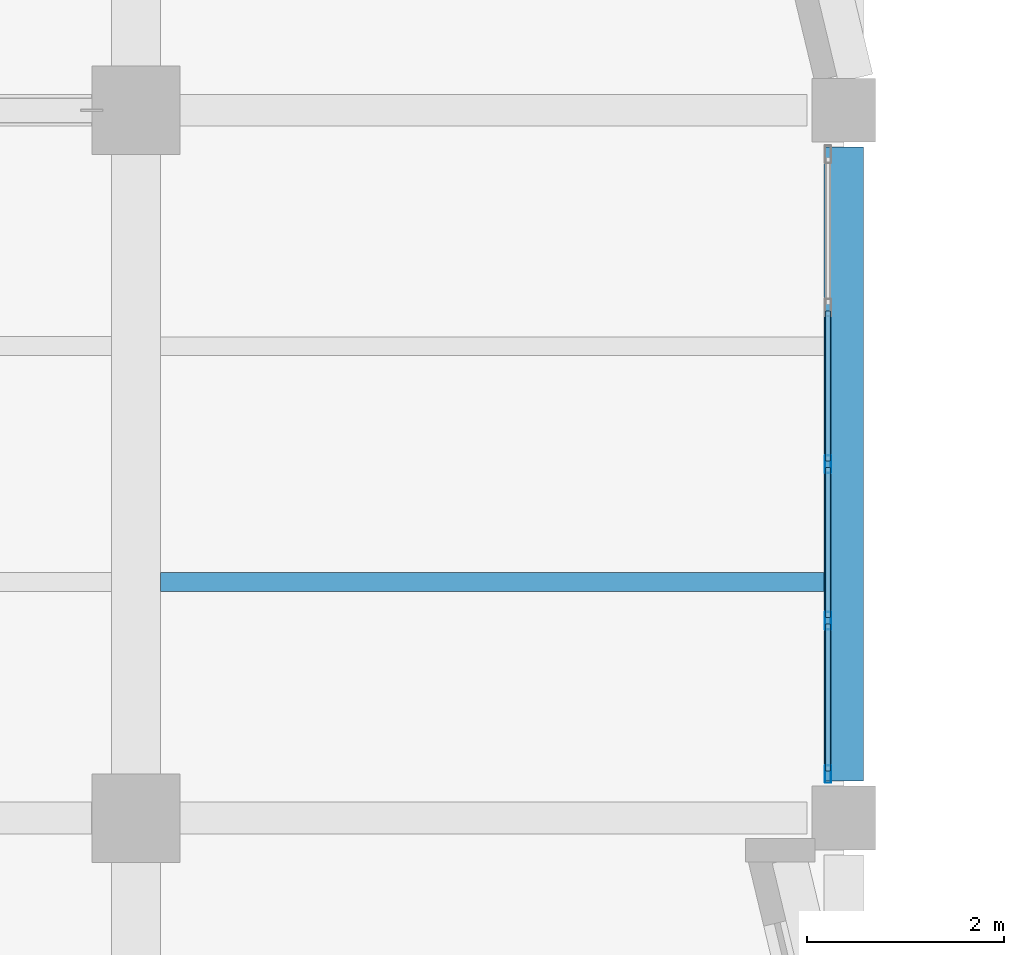
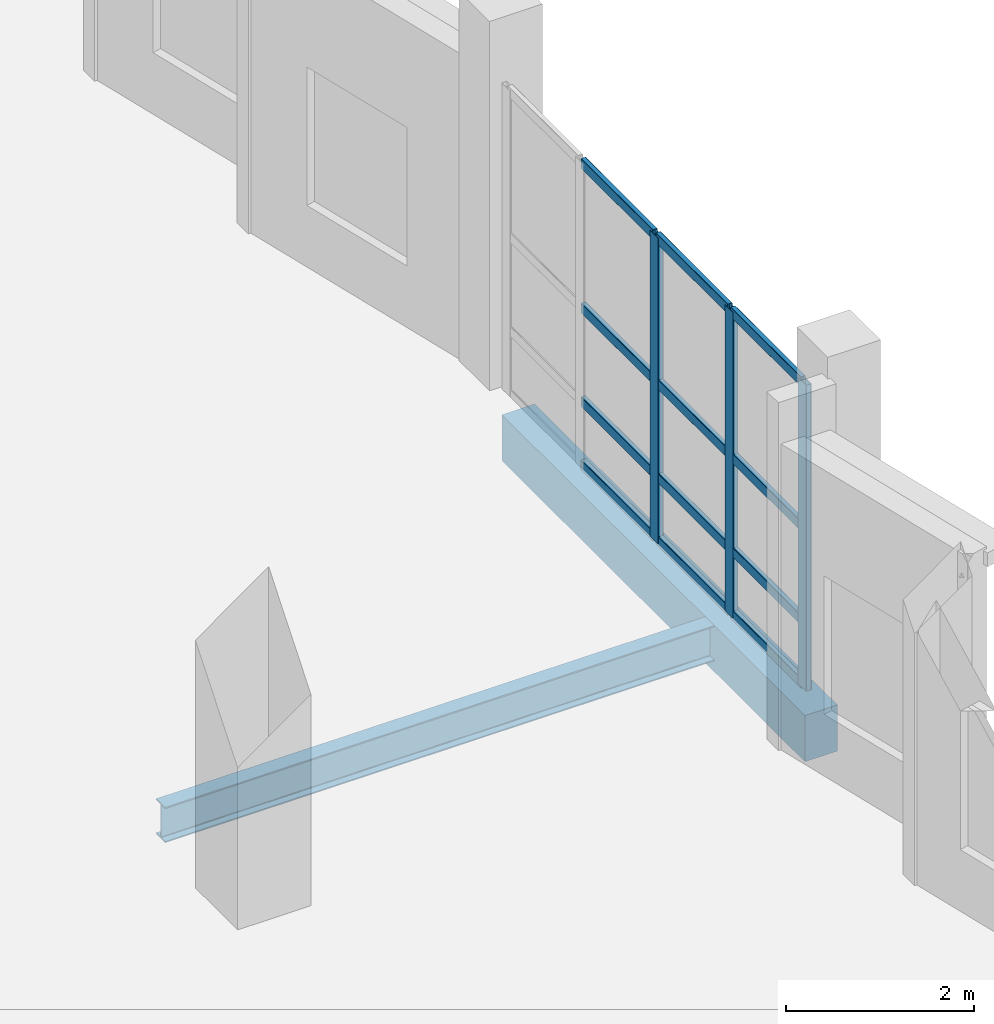
# One storey, part 16 of 127: 15 members, 2 beams, 1 element without a shape of its own.
"""IFC4 building model written with IfcOpenShell, lengths in metres."""

from ifc_helpers import new_model, si_unit, direction, frame, origin, origin_2d, place, context, subcontext, project, spatial, rectangle, hollow_rectangle, i_section, extrude, material, material_profile, profile_set, type_object, element, aggregate, save


model = new_model("IFC4")

# Units and contexts
model_context = context("Model", 3, precision=1e-05, world=origin(), true_north=direction((0.0, 1.0)))
body_context = subcontext(model_context, "Body", "Model", "MODEL_VIEW")
ifc_project = project(units=[si_unit("LENGTHUNIT", "METRE"), si_unit("AREAUNIT", "SQUARE_METRE"), si_unit("VOLUMEUNIT", "CUBIC_METRE"), si_unit("PLANEANGLEUNIT", "RADIAN"), si_unit("MASSUNIT", "GRAM", prefix="KILO")], contexts=[model_context])

# Site, building, storey
site_placement = place(None, origin())
site = spatial("IfcSite", under=ifc_project, at=site_placement, CompositionType="ELEMENT")
building_placement = place(site_placement, origin())
building = spatial("IfcBuilding", under=site, at=building_placement, Name="Kalmorath City Hall", CompositionType="ELEMENT")
storey_placement = place(building_placement, frame((0.0, 0.0, 5.39990234375)))
storey = spatial("IfcBuildingStorey", under=building, at=storey_placement, Name="L01", CompositionType="ELEMENT", Elevation=5.39990234375)

# Beam
ifc_material_1 = material(Name="Concrete C40/50", Category="concrete")
ifc_material_profile_1 = material_profile(ifc_material_1, rectangle(XDim=0.39990234375, YDim=0.60009765625, at=origin_2d()), Name="RC-BM-400X600")
ifc_profile_set_1 = profile_set([ifc_material_profile_1], Name="Concrete C40/50")
beam_type_1 = type_object("IfcBeamType", Name="Concrete edge beam 400x600", PredefinedType="SPANDREL", material=ifc_profile_set_1)
beam_1_placement = place(storey_placement, frame((28.800048828125, 43.574951171875, -0.6240234375), z_axis=(0.0, 1.0, 0.0), x_axis=(-1.0, 0.0, 0.0)))
element("IfcBeam", 1, at=beam_1_placement, inside=storey, type_object=beam_type_1, Name="L01 girder CB6 Y5/7-8", PredefinedType="SPANDREL", context=body_context, shape_type="SweptSolid", body=[
    extrude(rectangle(XDim=0.39990234375, YDim=0.60009765625, at=origin_2d()), origin(), (0.0, 0.0, 1.0), 6.449951171875),
])

# Curtain wall, members
ifc_material_2 = material(Name="Anodised aluminium and laminated glass", Category="aluminium")
curtain_wall_type = type_object("IfcCurtainWallType", Name="Unitised hurricane curtain wall 6370x3976 M1750", PredefinedType="NOTDEFINED", material=ifc_material_2)
curtain_wall_placement = place(storey_placement, origin())
curtain_wall = element("IfcCurtainWall", 2, at=curtain_wall_placement, inside=storey, type_object=curtain_wall_type, Name="L01 curtain wall CW-64X40M18 #111", PredefinedType="NOTDEFINED")
ifc_material_3 = material(Name="Anodised aluminium framing", Category="aluminium")
ifc_material_profile_2 = material_profile(ifc_material_3, hollow_rectangle(XDim=0.06494140625, YDim=0.179931640625, WallThickness=0.00390625, InnerFilletRadius=0.00390625, OuterFilletRadius=0.008056640625, at=origin_2d()), Name="ALU-MUL-180X65X4")
ifc_profile_set_2 = profile_set([ifc_material_profile_2], Name="Anodised aluminium framing")
member_type_1 = type_object("IfcMemberType", Name="Curtain-wall courtyard mullion 180x65", PredefinedType="MULLION", material=ifc_profile_set_2)
member_1_placement = place(storey_placement, frame((28.639892578125, 46.800048828125, 0.0), z_axis=(0.0, 0.0, 1.0), x_axis=(1.0, 0.0, 0.0)))
member_1 = element("IfcMember", 3, at=member_1_placement, type_object=member_type_1, Name="CW-64X40M18 mullion 3", PredefinedType="MULLION", context=body_context, shape_type="SweptSolid", body=[
    extrude(hollow_rectangle(XDim=0.06494140625, YDim=0.179931640625, WallThickness=0.00390625, InnerFilletRadius=0.00390625, OuterFilletRadius=0.008056640625, at=origin_2d()), origin(), (0.0, 0.0, 1.0), 3.97607421875),
])
member_2_placement = place(storey_placement, frame((28.639892578125, 45.20751953125, 0.0), z_axis=(0.0, 0.0, 1.0), x_axis=(1.0, 0.0, 0.0)))
member_2 = element("IfcMember", 4, at=member_2_placement, type_object=member_type_1, Name="CW-64X40M18 mullion 4", PredefinedType="MULLION", context=body_context, shape_type="SweptSolid", body=[
    extrude(hollow_rectangle(XDim=0.06494140625, YDim=0.179931640625, WallThickness=0.00390625, InnerFilletRadius=0.00390625, OuterFilletRadius=0.008056640625, at=origin_2d()), origin(), (0.0, 0.0, 1.0), 3.97607421875),
])
member_3_placement = place(storey_placement, frame((28.639892578125, 43.6474609375, 0.0), z_axis=(0.0, 0.0, 1.0), x_axis=(1.0, 0.0, 0.0)))
member_3 = element("IfcMember", 5, at=member_3_placement, type_object=member_type_1, Name="CW-64X40M18 mullion 5", PredefinedType="MULLION", context=body_context, shape_type="SweptSolid", body=[
    extrude(hollow_rectangle(XDim=0.06494140625, YDim=0.179931640625, WallThickness=0.00390625, InnerFilletRadius=0.00390625, OuterFilletRadius=0.008056640625, at=origin_2d()), origin(), (0.0, 0.0, 1.0), 3.97607421875),
])
ifc_material_4 = material(Name="Anodised aluminium framing", Category="aluminium")
ifc_material_profile_3 = material_profile(ifc_material_4, hollow_rectangle(XDim=0.06005859375, YDim=0.1298828125, WallThickness=0.00341796875, InnerFilletRadius=0.00341796875, OuterFilletRadius=0.007080078125, at=origin_2d()), Name="ALU-TRN-130X60X3.5")
ifc_profile_set_3 = profile_set([ifc_material_profile_3], Name="Anodised aluminium framing")
member_type_2 = type_object("IfcMemberType", Name="Curtain-wall courtyard transom 130x60", PredefinedType="USERDEFINED", material=ifc_profile_set_3)
member_4_placement = place(storey_placement, frame((28.639892578125, 48.360107421875, 0.030029296875), z_axis=(0.0, -1.0, 0.0), x_axis=(1.0, 0.0, 0.0)))
member_4 = element("IfcMember", 6, at=member_4_placement, type_object=member_type_2, Name="CW-64X40M18 transom 2.1", ObjectType="TRANSOM", PredefinedType="USERDEFINED", context=body_context, shape_type="SweptSolid", body=[
    extrude(hollow_rectangle(XDim=0.06005859375, YDim=0.1298828125, WallThickness=0.00341796875, InnerFilletRadius=0.00341796875, OuterFilletRadius=0.007080078125, at=origin_2d()), origin(), (0.0, 0.0, 1.0), 1.527587890625),
])
member_5_placement = place(storey_placement, frame((28.639892578125, 48.360107421875, 0.85009765625), z_axis=(0.0, -1.0, 0.0), x_axis=(1.0, 0.0, 0.0)))
member_5 = element("IfcMember", 7, at=member_5_placement, type_object=member_type_2, Name="CW-64X40M18 transom 2.2", ObjectType="TRANSOM", PredefinedType="USERDEFINED", context=body_context, shape_type="SweptSolid", body=[
    extrude(hollow_rectangle(XDim=0.06005859375, YDim=0.1298828125, WallThickness=0.00341796875, InnerFilletRadius=0.00341796875, OuterFilletRadius=0.007080078125, at=origin_2d()), origin(), (0.0, 0.0, 1.0), 1.527587890625),
])
member_6_placement = place(storey_placement, frame((28.639892578125, 48.360107421875, 2.068115234375), z_axis=(0.0, -1.0, 0.0), x_axis=(1.0, 0.0, 0.0)))
member_6 = element("IfcMember", 8, at=member_6_placement, type_object=member_type_2, Name="CW-64X40M18 transom 2.3", ObjectType="TRANSOM", PredefinedType="USERDEFINED", context=body_context, shape_type="SweptSolid", body=[
    extrude(hollow_rectangle(XDim=0.06005859375, YDim=0.1298828125, WallThickness=0.00341796875, InnerFilletRadius=0.00341796875, OuterFilletRadius=0.007080078125, at=origin_2d()), origin(), (0.0, 0.0, 1.0), 1.527587890625),
])
member_7_placement = place(storey_placement, frame((28.639892578125, 48.360107421875, 3.946044921875), z_axis=(0.0, -1.0, 0.0), x_axis=(1.0, 0.0, 0.0)))
member_7 = element("IfcMember", 9, at=member_7_placement, type_object=member_type_2, Name="CW-64X40M18 transom 2.4", ObjectType="TRANSOM", PredefinedType="USERDEFINED", context=body_context, shape_type="SweptSolid", body=[
    extrude(hollow_rectangle(XDim=0.06005859375, YDim=0.1298828125, WallThickness=0.00341796875, InnerFilletRadius=0.00341796875, OuterFilletRadius=0.007080078125, at=origin_2d()), origin(), (0.0, 0.0, 1.0), 1.527587890625),
])
member_8_placement = place(storey_placement, frame((28.639892578125, 46.767578125, 0.030029296875), z_axis=(0.0, -1.0, 0.0), x_axis=(1.0, 0.0, 0.0)))
member_8 = element("IfcMember", 10, at=member_8_placement, type_object=member_type_2, Name="CW-64X40M18 transom 3.1", ObjectType="TRANSOM", PredefinedType="USERDEFINED", context=body_context, shape_type="SweptSolid", body=[
    extrude(hollow_rectangle(XDim=0.06005859375, YDim=0.1298828125, WallThickness=0.00341796875, InnerFilletRadius=0.00341796875, OuterFilletRadius=0.007080078125, at=origin_2d()), origin(), (0.0, 0.0, 1.0), 1.527587890625),
])
member_9_placement = place(storey_placement, frame((28.639892578125, 46.767578125, 0.85009765625), z_axis=(0.0, -1.0, 0.0), x_axis=(1.0, 0.0, 0.0)))
member_9 = element("IfcMember", 11, at=member_9_placement, type_object=member_type_2, Name="CW-64X40M18 transom 3.2", ObjectType="TRANSOM", PredefinedType="USERDEFINED", context=body_context, shape_type="SweptSolid", body=[
    extrude(hollow_rectangle(XDim=0.06005859375, YDim=0.1298828125, WallThickness=0.00341796875, InnerFilletRadius=0.00341796875, OuterFilletRadius=0.007080078125, at=origin_2d()), origin(), (0.0, 0.0, 1.0), 1.527587890625),
])
member_10_placement = place(storey_placement, frame((28.639892578125, 46.767578125, 2.068115234375), z_axis=(0.0, -1.0, 0.0), x_axis=(1.0, 0.0, 0.0)))
member_10 = element("IfcMember", 12, at=member_10_placement, type_object=member_type_2, Name="CW-64X40M18 transom 3.3", ObjectType="TRANSOM", PredefinedType="USERDEFINED", context=body_context, shape_type="SweptSolid", body=[
    extrude(hollow_rectangle(XDim=0.06005859375, YDim=0.1298828125, WallThickness=0.00341796875, InnerFilletRadius=0.00341796875, OuterFilletRadius=0.007080078125, at=origin_2d()), origin(), (0.0, 0.0, 1.0), 1.527587890625),
])
member_11_placement = place(storey_placement, frame((28.639892578125, 46.767578125, 3.946044921875), z_axis=(0.0, -1.0, 0.0), x_axis=(1.0, 0.0, 0.0)))
member_11 = element("IfcMember", 13, at=member_11_placement, type_object=member_type_2, Name="CW-64X40M18 transom 3.4", ObjectType="TRANSOM", PredefinedType="USERDEFINED", context=body_context, shape_type="SweptSolid", body=[
    extrude(hollow_rectangle(XDim=0.06005859375, YDim=0.1298828125, WallThickness=0.00341796875, InnerFilletRadius=0.00341796875, OuterFilletRadius=0.007080078125, at=origin_2d()), origin(), (0.0, 0.0, 1.0), 1.527587890625),
])
member_12_placement = place(storey_placement, frame((28.639892578125, 45.175048828125, 0.030029296875), z_axis=(0.0, -1.0, 0.0), x_axis=(1.0, 0.0, 0.0)))
member_12 = element("IfcMember", 14, at=member_12_placement, type_object=member_type_2, Name="CW-64X40M18 transom 4.1", ObjectType="TRANSOM", PredefinedType="USERDEFINED", context=body_context, shape_type="SweptSolid", body=[
    extrude(hollow_rectangle(XDim=0.06005859375, YDim=0.1298828125, WallThickness=0.00341796875, InnerFilletRadius=0.00341796875, OuterFilletRadius=0.007080078125, at=origin_2d()), origin(), (0.0, 0.0, 1.0), 1.4951171875),
])
member_13_placement = place(storey_placement, frame((28.639892578125, 45.175048828125, 0.85009765625), z_axis=(0.0, -1.0, 0.0), x_axis=(1.0, 0.0, 0.0)))
member_13 = element("IfcMember", 15, at=member_13_placement, type_object=member_type_2, Name="CW-64X40M18 transom 4.2", ObjectType="TRANSOM", PredefinedType="USERDEFINED", context=body_context, shape_type="SweptSolid", body=[
    extrude(hollow_rectangle(XDim=0.06005859375, YDim=0.1298828125, WallThickness=0.00341796875, InnerFilletRadius=0.00341796875, OuterFilletRadius=0.007080078125, at=origin_2d()), origin(), (0.0, 0.0, 1.0), 1.4951171875),
])
member_14_placement = place(storey_placement, frame((28.639892578125, 45.175048828125, 2.068115234375), z_axis=(0.0, -1.0, 0.0), x_axis=(1.0, 0.0, 0.0)))
member_14 = element("IfcMember", 16, at=member_14_placement, type_object=member_type_2, Name="CW-64X40M18 transom 4.3", ObjectType="TRANSOM", PredefinedType="USERDEFINED", context=body_context, shape_type="SweptSolid", body=[
    extrude(hollow_rectangle(XDim=0.06005859375, YDim=0.1298828125, WallThickness=0.00341796875, InnerFilletRadius=0.00341796875, OuterFilletRadius=0.007080078125, at=origin_2d()), origin(), (0.0, 0.0, 1.0), 1.4951171875),
])
member_15_placement = place(storey_placement, frame((28.639892578125, 45.175048828125, 3.946044921875), z_axis=(0.0, -1.0, 0.0), x_axis=(1.0, 0.0, 0.0)))
member_15 = element("IfcMember", 17, at=member_15_placement, type_object=member_type_2, Name="CW-64X40M18 transom 4.4", ObjectType="TRANSOM", PredefinedType="USERDEFINED", context=body_context, shape_type="SweptSolid", body=[
    extrude(hollow_rectangle(XDim=0.06005859375, YDim=0.1298828125, WallThickness=0.00341796875, InnerFilletRadius=0.00341796875, OuterFilletRadius=0.007080078125, at=origin_2d()), origin(), (0.0, 0.0, 1.0), 1.4951171875),
])
aggregate(curtain_wall, [member_1, member_2, member_3, member_4, member_5, member_6, member_7, member_8, member_9, member_10, member_11, member_12, member_13, member_14, member_15])

# Beam
ifc_material_5 = material(Name="Steel ASTM A992 Grade 50", Category="steel")
ifc_material_profile_4 = material_profile(ifc_material_5, i_section(OverallWidth=0.19091796875, OverallDepth=0.4599609375, WebThickness=0.010009765625, FlangeThickness=0.01611328125, FilletRadius=0.013916015625, at=origin_2d()), Name="W18X55")
ifc_profile_set_4 = profile_set([ifc_material_profile_4], Name="Steel ASTM A992 Grade 50")
beam_type_2 = type_object("IfcBeamType", Name="Steel composite joist W18X55", PredefinedType="JOIST", material=ifc_profile_set_4)
beam_2_placement = place(storey_placement, frame((21.85009765625, 45.60009765625, -0.553955078125), z_axis=(1.0, 0.0, 0.0), x_axis=(0.0, 1.0, 0.0)))
element("IfcBeam", 18, at=beam_2_placement, inside=storey, type_object=beam_type_2, Name="L01 joist SJ2 4.7.1", PredefinedType="JOIST", context=body_context, shape_type="SweptSolid", body=[
    extrude(i_section(OverallWidth=0.19091796875, OverallDepth=0.4599609375, WebThickness=0.010009765625, FlangeThickness=0.01611328125, FilletRadius=0.013916015625, at=origin_2d()), origin(), (0.0, 0.0, 1.0), 6.75),
])

save(model, "model.ifc")
